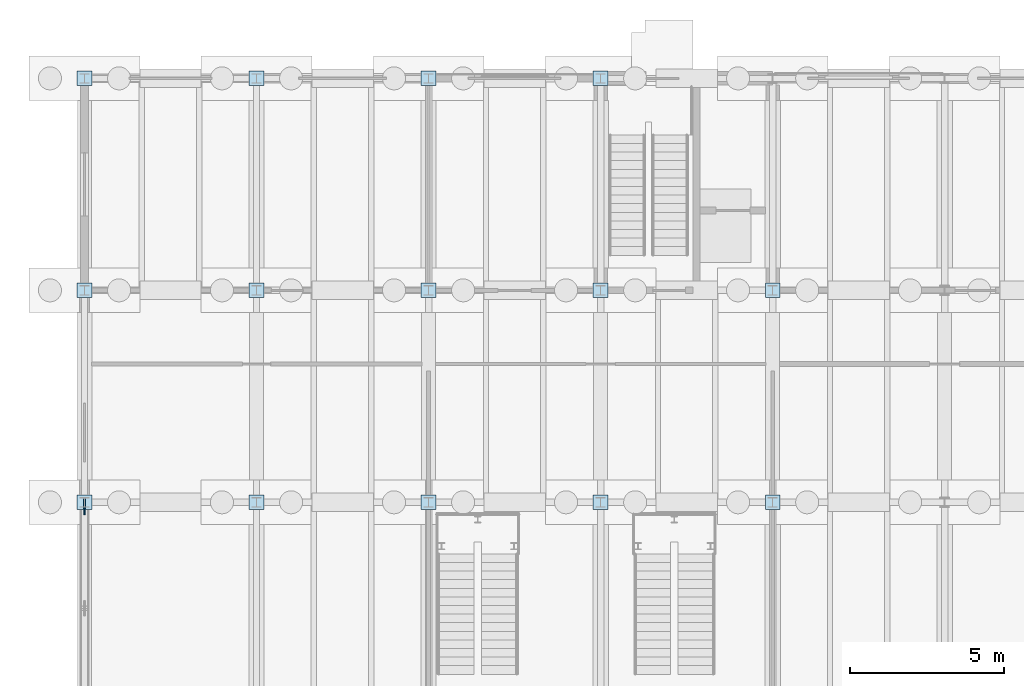
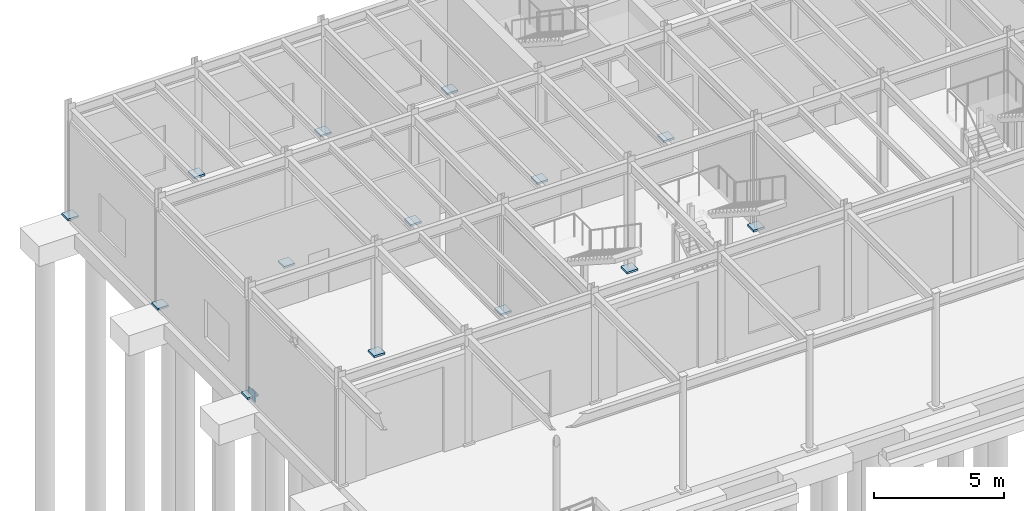
# One storey, part 61 of 82: 15 plates.
"""IFC4 building model written with IfcOpenShell, lengths in metres."""

from ifc_helpers import new_model, si_unit, direction, frame, origin, origin_2d, place, context, subcontext, project, spatial, rectangle, extrude, material, layer, layer_set, type_object, element, save


model = new_model("IFC4")

# Units and contexts
model_context = context("Model", 3, precision=1e-05, world=origin(), true_north=direction((0.0, 1.0)))
body_context = subcontext(model_context, "Body", "Model", "MODEL_VIEW")
ifc_project = project(units=[si_unit("LENGTHUNIT", "METRE"), si_unit("AREAUNIT", "SQUARE_METRE"), si_unit("VOLUMEUNIT", "CUBIC_METRE"), si_unit("PLANEANGLEUNIT", "RADIAN"), si_unit("MASSUNIT", "GRAM", prefix="KILO")], contexts=[model_context])

# Site, building, storey
site_placement = place(None, origin())
site = spatial("IfcSite", under=ifc_project, at=site_placement, CompositionType="ELEMENT")
building_placement = place(site_placement, origin())
building = spatial("IfcBuilding", under=site, at=building_placement, Name="Trelmorton Wharf Fire Station", CompositionType="ELEMENT")
storey_placement = place(building_placement, origin())
storey = spatial("IfcBuildingStorey", under=building, at=storey_placement, Name="L00", CompositionType="ELEMENT", Elevation=0.0)

# Plates
ifc_material = material(Name="Steel Grade 350", Category="steel")
ifc_layer_1 = layer(ifc_material, 0.090087890625)
ifc_layer_set_1 = layer_set([ifc_layer_1], Name="Steel Grade 350")
plate_type_1 = type_object("IfcPlateType", Name="PL_BASE_BP2", PredefinedType="USERDEFINED", material=ifc_layer_set_1)
for number, where, z_axis, x_axis, name in (
    (1, (0.800048828125, 67.199951171875, 0.0), (0.0, 0.0, 1.0), (1.0, 0.0, 0.0), "PL-BP-009"),
    (2, (0.800048828125, 74.10009765625, 0.0), (0.0, 0.0, 1.0), (1.0, 0.0, 0.0), "PL-BP-010"),
    (3, (0.800048828125, 81.0, 0.0), (0.0, 0.0, 1.0), (1.0, 0.0, 0.0), "PL-BP-011"),
    (4, (6.39990234375, 67.199951171875, 0.0), (0.0, 0.0, 1.0), (1.0, 0.0, 0.0), "PL-BP-020"),
    (5, (6.39990234375, 74.10009765625, 0.0), (0.0, 0.0, 1.0), (1.0, 0.0, 0.0), "PL-BP-021"),
    (6, (6.39990234375, 81.0, 0.0), (0.0, 0.0, 1.0), (1.0, 0.0, 0.0), "PL-BP-022"),
    (7, (12.0, 67.199951171875, 0.0), (0.0, 0.0, 1.0), (1.0, 0.0, 0.0), "PL-BP-029"),
    (8, (12.0, 74.10009765625, 0.0), (0.0, 0.0, 1.0), (1.0, 0.0, 0.0), "PL-BP-030"),
    (9, (12.0, 81.0, 0.0), (0.0, 0.0, 1.0), (1.0, 0.0, 0.0), "PL-BP-031"),
    (10, (17.60009765625, 67.199951171875, 0.0), (0.0, 0.0, 1.0), (1.0, 0.0, 0.0), "PL-BP-038"),
    (11, (17.60009765625, 74.10009765625, 0.0), (0.0, 0.0, 1.0), (1.0, 0.0, 0.0), "PL-BP-039"),
    (12, (17.60009765625, 81.0, 0.0), (0.0, 0.0, 1.0), (1.0, 0.0, 0.0), "PL-BP-040"),
    (13, (23.199951171875, 67.199951171875, 0.0), (0.0, 0.0, 1.0), (1.0, 0.0, 0.0), "PL-BP-047"),
    (14, (23.199951171875, 74.10009765625, 0.0), (0.0, 0.0, 1.0), (1.0, 0.0, 0.0), "PL-BP-048"),
):
    element("IfcPlate", number, at=place(storey_placement, frame(where, z_axis=z_axis, x_axis=x_axis)), inside=storey, type_object=plate_type_1, Name=name, ObjectType="BASE PLATE", PredefinedType="USERDEFINED", context=body_context, shape_type="SweptSolid", body=[
        extrude(rectangle(XDim=0.47998046875, YDim=0.47998046875, at=origin_2d()), origin(), (0.0, 0.0, 1.0), 0.090087890625),
    ])
ifc_layer_2 = layer(ifc_material, 0.050048828125)
ifc_layer_set_2 = layer_set([ifc_layer_2], Name="Steel Grade 350")
plate_type_2 = type_object("IfcPlateType", Name="PL_GUSSET_TN2", PredefinedType="USERDEFINED", material=ifc_layer_set_2)
plate_placement = place(storey_placement, frame((0.800048828125, 67.04541015625, -0.10498046875), z_axis=(0.0, 0.0, 1.0), x_axis=(1.0, 0.0, 0.0)))
element("IfcPlate", 15, at=plate_placement, inside=storey, type_object=plate_type_2, Name="PL-CBF-0395", ObjectType="GUSSET PLATE", PredefinedType="USERDEFINED", context=body_context, shape_type="SweptSolid", body=[
    extrude(rectangle(XDim=0.050048828125, YDim=0.5, at=origin_2d()), origin(), (0.0, 0.0, 1.0), 0.449951171875),
])

save(model, "model.ifc")
